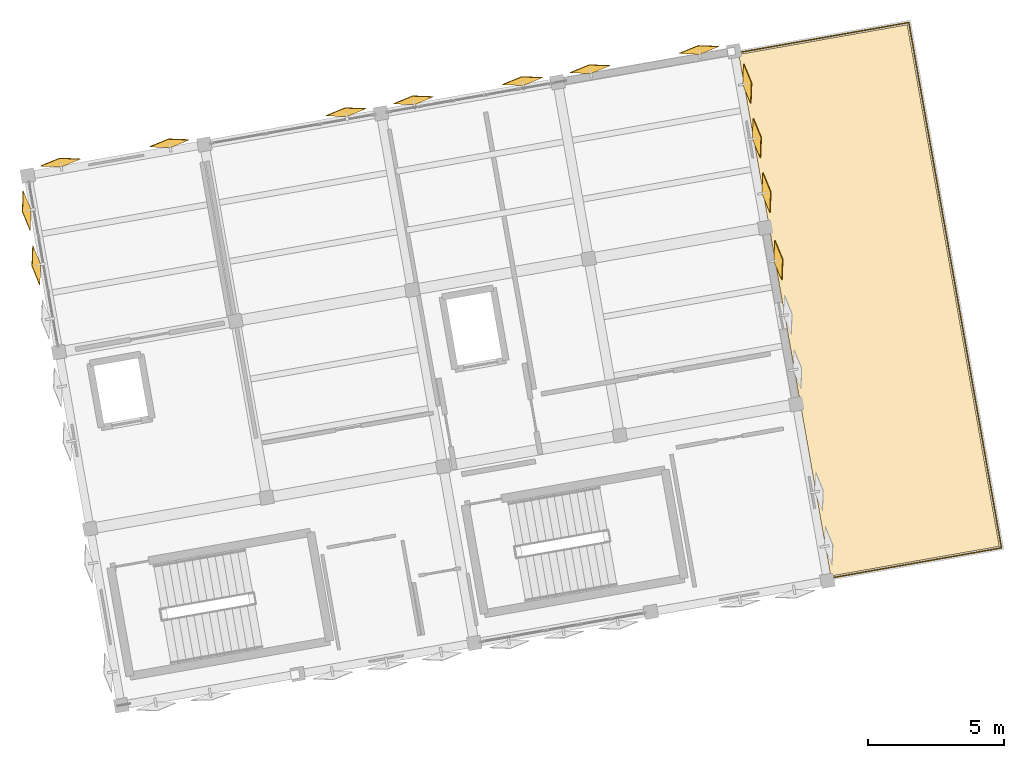
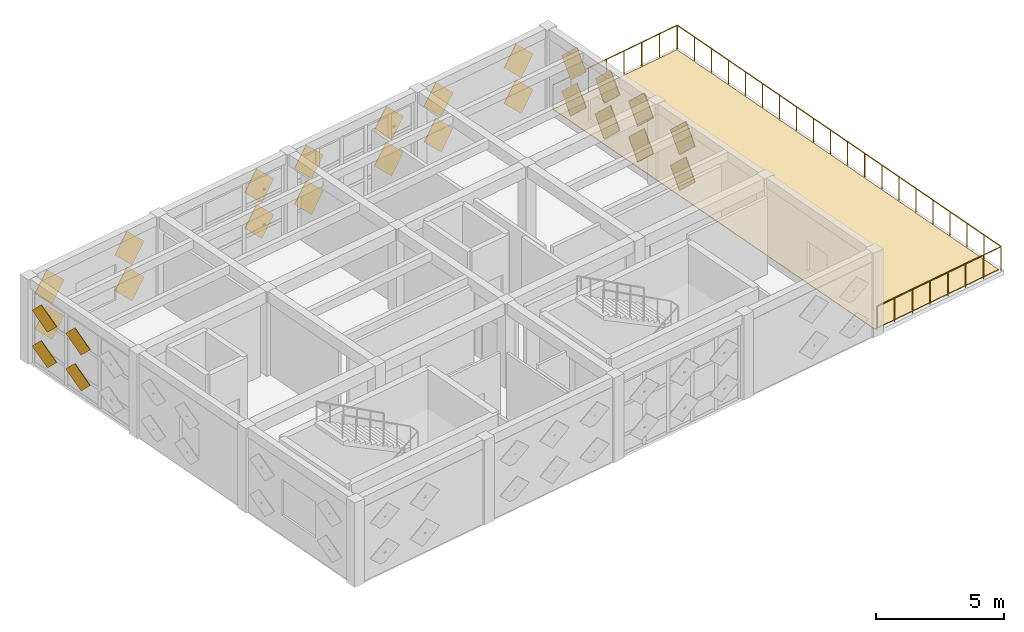
# One storey, part 13 of 13: 27 coverings, 1 railing.
"""IFC4 building model written with IfcOpenShell, lengths in metres."""

import ifcopenshell
import ifcopenshell.guid

model = None  # the IFC model being written
_history = None  # IfcOwnerHistory: only IFC2X3 demands one
_inside = {}  # id of a spatial element -> (the spatial element, [elements in it])
_under = {}  # id of a project, library or spatial element -> (it, [spatial elements below it])
_declared = {}  # id of a project -> (the project, [libraries it declares])
_typed = {}  # id of a type object -> (the type object, [elements of that type])
_made_of = {}  # id of a material, layer set ... -> (it, [elements and type objects made of it])


def new_model(schema):
    """Start an empty IFC model of exactly this schema.

    Asked for "IFC4X3", IfcOpenShell would pick the latest addendum, in which some entities
    have other attributes; the version numbers below select the first issue.
    IFC2X3 requires an IfcOwnerHistory on every rooted entity: one is made here for all.
    """
    global model, _history
    if schema == "IFC4X3":
        model = ifcopenshell.file(schema_version=(4, 3, 0, 0))
    else:
        model = ifcopenshell.file(schema=schema)
    _inside.clear()
    _under.clear()
    _declared.clear()
    _typed.clear()
    _made_of.clear()
    _history = None
    if model.schema == "IFC2X3":
        org = make("IfcOrganization", Name="unknown")
        user = make(
            "IfcPersonAndOrganization",
            ThePerson=make("IfcPerson", FamilyName="unknown"),
            TheOrganization=org,
        )
        app = make(
            "IfcApplication",
            ApplicationDeveloper=org,
            Version="unknown",
            ApplicationFullName="unknown",
            ApplicationIdentifier="unknown",
        )
        _history = make(
            "IfcOwnerHistory",
            OwningUser=user,
            OwningApplication=app,
            ChangeAction="ADDED",
            CreationDate=0,
        )
    return model


def make(cls, **values):
    """One entity of the class cls with the attributes given. An attribute that is None is left unset."""
    return model.create_entity(
        cls, **{name: value for name, value in values.items() if value is not None}
    )


def rooted(cls, **values):
    """An entity with a GlobalId (a new one), such as an element, a storey or a relation."""
    return make(cls, GlobalId=ifcopenshell.guid.new(), OwnerHistory=_history, **values)


def si_unit(unit_type, name, prefix=None):
    """IfcSIUnit, for example si_unit("LENGTHUNIT", "METRE", prefix="MILLI")."""
    return make("IfcSIUnit", UnitType=unit_type, Prefix=prefix, Name=name)


def assignment(units):
    """IfcUnitAssignment: the units of a project."""
    return None if units is None else make("IfcUnitAssignment", Units=units)


def point(xyz):
    """IfcCartesianPoint."""
    return None if xyz is None else make("IfcCartesianPoint", Coordinates=xyz)


def direction(xyz):
    """IfcDirection."""
    return None if xyz is None else make("IfcDirection", DirectionRatios=xyz)


def frame(location, z_axis=None, x_axis=None):
    """IfcAxis2Placement3D, a coordinate frame: its origin and axes. An axis left out is left unset."""
    return make(
        "IfcAxis2Placement3D",
        Location=point(location),
        Axis=direction(z_axis),
        RefDirection=direction(x_axis),
    )


def frame_2d(location, x_axis=None):
    """IfcAxis2Placement2D, a coordinate frame in the plane: its origin and x axis."""
    return make(
        "IfcAxis2Placement2D", Location=point(location), RefDirection=direction(x_axis)
    )


def origin():
    """The frame at (0, 0, 0) with its axes left unset."""
    return frame((0.0, 0.0, 0.0))


def origin_2d():
    """The frame at (0, 0) in the plane with its x axis left unset."""
    return frame_2d((0.0, 0.0))


def place(relative_to, where):
    """IfcLocalPlacement: puts the frame where relative to a parent placement (None: the world)."""
    return make(
        "IfcLocalPlacement", PlacementRelTo=relative_to, RelativePlacement=where
    )


def context(
    kind, dimensions, precision=None, world=None, true_north=None, identifier=None
):
    """IfcGeometricRepresentationContext, for example the 3D "Model" context."""
    return make(
        "IfcGeometricRepresentationContext",
        ContextIdentifier=identifier,
        ContextType=kind,
        CoordinateSpaceDimension=dimensions,
        Precision=precision,
        WorldCoordinateSystem=world,
        TrueNorth=true_north,
    )


def subcontext(parent, identifier, kind, view, scale=None):
    """IfcGeometricRepresentationSubContext, for example "Body" below "Model"."""
    return make(
        "IfcGeometricRepresentationSubContext",
        ContextIdentifier=identifier,
        ContextType=kind,
        ParentContext=parent,
        TargetScale=scale,
        TargetView=view,
    )


def project(units=None, contexts=None):
    """IfcProject with its units and contexts."""
    return rooted(
        "IfcProject",
        Name="project",
        RepresentationContexts=contexts,
        UnitsInContext=assignment(units),
    )


def spatial(cls, under=None, at=None, **own):
    """A site, building, storey or space (cls), placed at a placement, below another one or the project."""
    s = rooted(cls, ObjectPlacement=at, **own)
    if under is not None:
        _under.setdefault(under.id(), (under, []))[1].append(s)
    return s


def polyline(points):
    """IfcPolyline through the points."""
    return make("IfcPolyline", Points=[point(p) for p in points])


def profile(cls, at=None, kind="AREA", **sizes):
    """A parametric profile (cls). Its sizes go by their IFC names, for example OverallWidth=200.0."""
    return make(cls, ProfileType=kind, Position=at, **sizes)


def circle(**sizes):
    """IfcCircleProfileDef."""
    return profile("IfcCircleProfileDef", **sizes)


def outline(outer, holes=None, kind="AREA"):
    """IfcArbitraryClosedProfileDef: a profile drawn as a closed curve; with holes, ...WithVoids."""
    if holes is None:
        return make("IfcArbitraryClosedProfileDef", ProfileType=kind, OuterCurve=outer)
    return make(
        "IfcArbitraryProfileDefWithVoids",
        ProfileType=kind,
        OuterCurve=outer,
        InnerCurves=holes,
    )


def extrude(swept, where, along, depth):
    """IfcExtrudedAreaSolid: the profile swept, set in the frame where, extruded along a direction by depth."""
    return make(
        "IfcExtrudedAreaSolid",
        SweptArea=swept,
        Position=where,
        ExtrudedDirection=direction(along),
        Depth=depth,
    )


def shape(context_of_items, identifier, shape_type, items):
    """IfcShapeRepresentation: the items that make up one representation, for example the "Body"."""
    return make(
        "IfcShapeRepresentation",
        ContextOfItems=context_of_items,
        RepresentationIdentifier=identifier,
        RepresentationType=shape_type,
        Items=items,
    )


def material(Name=None, Category=None):
    """IfcMaterial."""
    return make("IfcMaterial", Name=Name, Category=Category)


def layer(
    of_material, thickness, ventilated=None, Name=None, Category=None, Priority=None
):
    """IfcMaterialLayer: one layer of a wall or slab, of a material (None: an air gap)."""
    return make(
        "IfcMaterialLayer",
        Material=of_material,
        LayerThickness=thickness,
        IsVentilated=ventilated,
        Name=Name,
        Category=Category,
        Priority=Priority,
    )


def layer_set(layers, Name=None):
    """IfcMaterialLayerSet."""
    return make("IfcMaterialLayerSet", MaterialLayers=layers, LayerSetName=Name)


def made_of(thing, what):
    """Note that an element or type object is made of a material, layer set ...; save() writes the relation."""
    if what is not None:
        _made_of.setdefault(what.id(), (what, []))[1].append(thing)
    return thing


def type_object(cls, material=None, **own):
    """A type object (cls), such as IfcWallType, which elements share."""
    return made_of(rooted(cls, **own), material)


def element(
    cls,
    number,
    at=None,
    inside=None,
    cuts=None,
    type_object=None,
    material=None,
    context=None,
    identifier="Body",
    shape_type=None,
    held_by="IfcProductDefinitionShape",
    body=None,
    shapes=None,
    **own,
):
    """One element of the class cls, such as IfcWall. Its Tag is "e" and its number.

    at: its placement. inside: the storey or other place that contains it. cuts: it is an
    opening in that element (IfcRelVoidsElement). A single representation is given by context,
    identifier, shape_type and body (its items); several are given by shapes. held_by: the class
    of the entity that holds the representations. save() writes the other relations.
    """
    e = rooted(cls, Tag="e%d" % number, ObjectPlacement=at, **own)
    if body is not None:
        shapes = [shape(context, identifier, shape_type, body)]
    if shapes is not None:
        e.Representation = make(held_by, Representations=shapes)
    if inside is not None:
        _inside.setdefault(inside.id(), (inside, []))[1].append(e)
    if cuts is not None:
        rooted(
            "IfcRelVoidsElement", RelatingBuildingElement=cuts, RelatedOpeningElement=e
        )
    if type_object is not None:
        _typed.setdefault(type_object.id(), (type_object, []))[1].append(e)
    return made_of(e, material)


def aggregate(whole, parts):
    """IfcRelAggregates: a whole, such as a stair, and the parts it consists of."""
    return rooted("IfcRelAggregates", RelatingObject=whole, RelatedObjects=parts)


def save(model, path):
    """Write the relations noted so far, then the file.

    IfcRelAggregates (storeys below a building ...), IfcRelContainedInSpatialStructure (elements
    in a storey), IfcRelDefinesByType, IfcRelAssociatesMaterial and IfcRelDeclares: one each for
    every whole, place, type object, material and project.
    """
    for whole, parts in _under.values():
        aggregate(whole, parts)
    for where, things in _inside.values():
        rooted(
            "IfcRelContainedInSpatialStructure",
            RelatedElements=things,
            RelatingStructure=where,
        )
    for kind, things in _typed.values():
        rooted("IfcRelDefinesByType", RelatedObjects=things, RelatingType=kind)
    for what, things in _made_of.values():
        rooted("IfcRelAssociatesMaterial", RelatedObjects=things, RelatingMaterial=what)
    for by, libraries in _declared.values():
        rooted("IfcRelDeclares", RelatingContext=by, RelatedDefinitions=libraries)
    model.write(path)


model = new_model("IFC4")

# Units and contexts
model_context = context("Model", 3, precision=1e-05, world=origin(), true_north=direction((0.0, 1.0)))
body_context = subcontext(model_context, "Body", "Model", "MODEL_VIEW")
ifc_project = project(units=[si_unit("LENGTHUNIT", "METRE"), si_unit("AREAUNIT", "SQUARE_METRE"), si_unit("VOLUMEUNIT", "CUBIC_METRE"), si_unit("PLANEANGLEUNIT", "RADIAN"), si_unit("MASSUNIT", "GRAM", prefix="KILO")], contexts=[model_context])

# Site, building, storey
site_placement = place(None, origin())
site = spatial("IfcSite", under=ifc_project, at=site_placement, CompositionType="ELEMENT")
building_placement = place(site_placement, origin())
building = spatial("IfcBuilding", under=site, at=building_placement, Name="Kharisveld Research Institute", CompositionType="ELEMENT")
storey_placement = place(building_placement, frame((0.0, 0.0, 45.0)))
storey = spatial("IfcBuildingStorey", under=building, at=storey_placement, Name="L10", CompositionType="ELEMENT", Elevation=45.0)

# Covering
ifc_material_1 = material(Name="High-Albedo TPO Roof Membrane", Category="mineral")
ifc_layer = layer(ifc_material_1, 0.034912109375)
ifc_layer_set = layer_set([ifc_layer], Name="CV_ROOF_EPDM")
covering_type_1 = type_object("IfcCoveringType", Name="CV_ROOF_EPDM", PredefinedType="ROOFING", material=ifc_layer_set)
covering_placement = place(storey_placement, origin())
element("IfcCovering", 1, at=covering_placement, inside=storey, type_object=covering_type_1, Name="COV:V1:L10:TERMEM", PredefinedType="ROOFING", context=body_context, shape_type="SweptSolid", body=[
    extrude(outline(polyline([(31.320556640625, 39.76806640625), (37.52490234375, 40.862060546875), (34.138671875, 60.06591796875), (27.9345703125, 58.971923828125), (31.320556640625, 39.76806640625)])), origin(), (0.0, 0.0, 1.0), 0.034912109375),
])

# Railing
ifc_material_2 = material(Name="Steel S355JR", Category="steel")
railing_type = type_object("IfcRailingType", Name="RL_GRD_TER", PredefinedType="GUARDRAIL", material=ifc_material_2)
railing_placement = place(storey_placement, frame((31.382080078125, 39.707763671875, 0.0)))
element("IfcRailing", 2, at=railing_placement, inside=storey, type_object=railing_type, Name="RLG:V1:L10:TERRACE", PredefinedType="GUARDRAIL", context=body_context, shape_type="SweptSolid", body=[
    extrude(circle(Radius=0.02392578125, at=origin_2d()), frame((0.0, 0.0, 1.1259765625), z_axis=(0.984808438196, 0.173644291754, 0.0), x_axis=(-0.173644291754, 0.984808438196, 0.0)), (0.0, 0.0, 1.0), 6.31982421875),
    extrude(circle(Radius=0.02392578125, at=origin_2d()), frame((6.223876953125, 1.097412109375, 1.1259765625), z_axis=(-0.17364421467, 0.984808451787, 0.0), x_axis=(-0.984808451787, -0.17364421467, 0.0)), (0.0, 0.0, 1.0), 19.64013671875),
    extrude(circle(Radius=0.02392578125, at=origin_2d()), frame((2.8134765625, 20.439208984375, 1.1259765625), z_axis=(-0.98480960293, -0.173637685933, 0.0), x_axis=(0.173637685933, -0.98480960293, 0.0)), (0.0, 0.0, 1.0), 6.320068359375),
    extrude(circle(Radius=0.02099609375, at=origin_2d()), origin(), (0.0, 0.0, 1.0), 1.101806640625),
    extrude(circle(Radius=0.02099609375, at=origin_2d()), frame((0.88916015625, 0.15673828125, 0.0)), (0.0, 0.0, 1.0), 1.101806640625),
    extrude(circle(Radius=0.02099609375, at=origin_2d()), frame((1.7783203125, 0.3134765625, 0.0)), (0.0, 0.0, 1.0), 1.101806640625),
    extrude(circle(Radius=0.02099609375, at=origin_2d()), frame((2.66748046875, 0.47021484375, 0.0)), (0.0, 0.0, 1.0), 1.101806640625),
    extrude(circle(Radius=0.02099609375, at=origin_2d()), frame((3.556396484375, 0.627197265625, 0.0)), (0.0, 0.0, 1.0), 1.101806640625),
    extrude(circle(Radius=0.02099609375, at=origin_2d()), frame((4.445556640625, 0.783935546875, 0.0)), (0.0, 0.0, 1.0), 1.101806640625),
    extrude(circle(Radius=0.02099609375, at=origin_2d()), frame((5.334716796875, 0.940673828125, 0.0)), (0.0, 0.0, 1.0), 1.101806640625),
    extrude(circle(Radius=0.02099609375, at=origin_2d()), frame((6.223876953125, 1.097412109375, 0.0)), (0.0, 0.0, 1.0), 1.101806640625),
    extrude(circle(Radius=0.02099609375, at=origin_2d()), frame((6.04443359375, 2.115478515625, 0.0)), (0.0, 0.0, 1.0), 1.101806640625),
    extrude(circle(Radius=0.02099609375, at=origin_2d()), frame((5.864990234375, 3.13330078125, 0.0)), (0.0, 0.0, 1.0), 1.101806640625),
    extrude(circle(Radius=0.02099609375, at=origin_2d()), frame((5.685302734375, 4.1513671875, 0.0)), (0.0, 0.0, 1.0), 1.101806640625),
    extrude(circle(Radius=0.02099609375, at=origin_2d()), frame((5.505859375, 5.16943359375, 0.0)), (0.0, 0.0, 1.0), 1.101806640625),
    extrude(circle(Radius=0.02099609375, at=origin_2d()), frame((5.326416015625, 6.187255859375, 0.0)), (0.0, 0.0, 1.0), 1.101806640625),
    extrude(circle(Radius=0.02099609375, at=origin_2d()), frame((5.14697265625, 7.205322265625, 0.0)), (0.0, 0.0, 1.0), 1.101806640625),
    extrude(circle(Radius=0.02099609375, at=origin_2d()), frame((4.967529296875, 8.223388671875, 0.0)), (0.0, 0.0, 1.0), 1.101806640625),
    extrude(circle(Radius=0.02099609375, at=origin_2d()), frame((4.787841796875, 9.2412109375, 0.0)), (0.0, 0.0, 1.0), 1.101806640625),
    extrude(circle(Radius=0.02099609375, at=origin_2d()), frame((4.6083984375, 10.25927734375, 0.0)), (0.0, 0.0, 1.0), 1.101806640625),
    extrude(circle(Radius=0.02099609375, at=origin_2d()), frame((4.428955078125, 11.27734375, 0.0)), (0.0, 0.0, 1.0), 1.101806640625),
    extrude(circle(Radius=0.02099609375, at=origin_2d()), frame((4.24951171875, 12.29541015625, 0.0)), (0.0, 0.0, 1.0), 1.101806640625),
    extrude(circle(Radius=0.02099609375, at=origin_2d()), frame((4.06982421875, 13.313232421875, 0.0)), (0.0, 0.0, 1.0), 1.101806640625),
    extrude(circle(Radius=0.02099609375, at=origin_2d()), frame((3.890380859375, 14.331298828125, 0.0)), (0.0, 0.0, 1.0), 1.101806640625),
    extrude(circle(Radius=0.02099609375, at=origin_2d()), frame((3.7109375, 15.349365234375, 0.0)), (0.0, 0.0, 1.0), 1.101806640625),
    extrude(circle(Radius=0.02099609375, at=origin_2d()), frame((3.531494140625, 16.3671875, 0.0)), (0.0, 0.0, 1.0), 1.101806640625),
    extrude(circle(Radius=0.02099609375, at=origin_2d()), frame((3.35205078125, 17.38525390625, 0.0)), (0.0, 0.0, 1.0), 1.101806640625),
    extrude(circle(Radius=0.02099609375, at=origin_2d()), frame((3.17236328125, 18.4033203125, 0.0)), (0.0, 0.0, 1.0), 1.101806640625),
    extrude(circle(Radius=0.02099609375, at=origin_2d()), frame((2.992919921875, 19.421142578125, 0.0)), (0.0, 0.0, 1.0), 1.101806640625),
    extrude(circle(Radius=0.02099609375, at=origin_2d()), frame((2.8134765625, 20.439208984375, 0.0)), (0.0, 0.0, 1.0), 1.101806640625),
    extrude(circle(Radius=0.02099609375, at=origin_2d()), frame((1.92431640625, 20.282470703125, 0.0)), (0.0, 0.0, 1.0), 1.101806640625),
    extrude(circle(Radius=0.02099609375, at=origin_2d()), frame((1.03515625, 20.125732421875, 0.0)), (0.0, 0.0, 1.0), 1.101806640625),
    extrude(circle(Radius=0.02099609375, at=origin_2d()), frame((0.14599609375, 19.968994140625, 0.0)), (0.0, 0.0, 1.0), 1.101806640625),
    extrude(circle(Radius=0.02099609375, at=origin_2d()), frame((-0.7431640625, 19.81201171875, 0.0)), (0.0, 0.0, 1.0), 1.101806640625),
    extrude(circle(Radius=0.02099609375, at=origin_2d()), frame((-1.63232421875, 19.6552734375, 0.0)), (0.0, 0.0, 1.0), 1.101806640625),
    extrude(circle(Radius=0.02099609375, at=origin_2d()), frame((-2.521484375, 19.49853515625, 0.0)), (0.0, 0.0, 1.0), 1.101806640625),
    extrude(circle(Radius=0.02099609375, at=origin_2d()), frame((-3.41064453125, 19.341796875, 0.0)), (0.0, 0.0, 1.0), 1.101806640625),
])

# Coverings
ifc_material_3 = material(Name="White Powder-Coated Perforated Aluminium", Category="aluminium")
covering_type_2 = type_object("IfcCoveringType", Name="CV_DIA_105", PredefinedType="CLADDING")
for number, where, z_axis, x_axis, name in (
    (3, (2.237060546875, 51.2421875, 0.3251953125), (0.961420032054, 0.169652917176, 0.216539626071), (-0.273667258538, 0.669685861016, 0.690381835769), "SHD:V1:L10:W2:S1C0"),
    (4, (2.237060546875, 51.2421875, 2.025146484375), (0.961420032054, 0.169652917176, 0.216539626071), (-0.273667258538, 0.669685861016, 0.690381835769), "SHD:V1:L10:W2:S1C1"),
):
    element("IfcCovering", number, at=place(storey_placement, frame(where, z_axis=z_axis, x_axis=x_axis)), inside=storey, type_object=covering_type_2, material=ifc_material_3, Name=name, PredefinedType="CLADDING", context=body_context, shape_type="SweptSolid", body=[
        extrude(outline(polyline([(0.0, 0.0), (1.0499378206599106, 0.0), (1.0500673127316735, 1.0499534809922781), (-3.40054528989997e-05, 1.0501299963078314), (0.0, 0.0)])), origin(), (0.0, 0.0, -1.0), 0.02392578125),
    ])
for number, where, z_axis, x_axis, name in (
    (5, (1.88330078125, 53.247802734375, 0.3251953125), (0.961481187298, 0.169503194288, 0.216385289699), (-0.273447448775, 0.669849989418, 0.690309701826), "SHD:V1:L10:W2:S2C0"),
    (6, (1.88330078125, 53.247802734375, 2.025146484375), (0.961481187298, 0.169503194288, 0.216385289699), (-0.273447448775, 0.669849989418, 0.690309701826), "SHD:V1:L10:W2:S2C1"),
):
    element("IfcCovering", number, at=place(storey_placement, frame(where, z_axis=z_axis, x_axis=x_axis)), inside=storey, type_object=covering_type_2, material=ifc_material_3, Name=name, PredefinedType="CLADDING", context=body_context, shape_type="SweptSolid", body=[
        extrude(outline(polyline([(0.0, 0.0), (1.0500345517563856, -1.1102230246251565e-16), (1.0498172010450848, 1.0501299743656882), (-5.381311622809637e-05, 1.0499534875988095), (0.0, 0.0)])), origin(), (0.0, 0.0, -1.0), 0.02392578125),
    ])
for number, where, z_axis, x_axis, name in (
    (7, (2.98876953125, 54.826416015625, 0.3251953125), (0.169503194288, -0.961481187298, 0.216385289699), (0.669728459805, 0.273452141042, 0.690425750307), "SHD:V1:L10:N0:S0C0"),
    (8, (2.98876953125, 54.826416015625, 2.025146484375), (0.169503194288, -0.961481187298, 0.216385289699), (0.669728459805, 0.273452141042, 0.690425750307), "SHD:V1:L10:N0:S0C1"),
):
    element("IfcCovering", number, at=place(storey_placement, frame(where, z_axis=z_axis, x_axis=x_axis)), inside=storey, type_object=covering_type_2, material=ifc_material_3, Name=name, PredefinedType="CLADDING", context=body_context, shape_type="SweptSolid", body=[
        extrude(outline(polyline([(0.0, 0.0), (1.0498710289953155, -1.1102230246251565e-16), (1.0499937165082887, 1.0499534818098035), (-4.082041178410378e-05, 1.0501299960653954), (0.0, 0.0)])), origin(), (0.0, 0.0, -1.0), 0.02392578125),
    ])
for number, where, z_axis, x_axis, name in (
    (9, (7.0, 55.53369140625, 0.3251953125), (0.169504241221, -0.961487125864, 0.216358080518), (0.669853329409, 0.27342850239, 0.690313965642), "SHD:V1:L10:N0:S2C0"),
    (10, (7.0, 55.53369140625, 2.025146484375), (0.169504241221, -0.961487125864, 0.216358080518), (0.669853329409, 0.27342850239, 0.690313965642), "SHD:V1:L10:N0:S2C1"),
):
    element("IfcCovering", number, at=place(storey_placement, frame(where, z_axis=z_axis, x_axis=x_axis)), inside=storey, type_object=covering_type_2, material=ifc_material_3, Name=name, PredefinedType="CLADDING", context=body_context, shape_type="SweptSolid", body=[
        extrude(outline(polyline([(0.0, 0.0), (1.0500345519602505, 0.0), (1.0499807392517624, 1.0499534878027108), (-5.381270848814346e-05, 1.049953487802711), (0.0, 0.0)])), origin(), (0.0, 0.0, -1.0), 0.02392578125),
    ])
for number, where, z_axis, x_axis, name in (
    (11, (13.499755859375, 56.6796875, 0.3251953125), (0.169653966706, -0.961425979727, 0.216512394765), (0.669810730042, 0.27364360613, 0.69027006508), "SHD:V1:L10:N1:S2C0"),
    (12, (13.499755859375, 56.6796875, 2.025146484375), (0.169653966706, -0.961425979727, 0.216512394765), (0.669810730042, 0.27364360613, 0.69027006508), "SHD:V1:L10:N1:S2C1"),
):
    element("IfcCovering", number, at=place(storey_placement, frame(where, z_axis=z_axis, x_axis=x_axis)), inside=storey, type_object=covering_type_2, material=ifc_material_3, Name=name, PredefinedType="CLADDING", context=body_context, shape_type="SweptSolid", body=[
        extrude(outline(polyline([(0.0, 0.0), (1.0501013332243323, 1.1102230246251565e-16), (1.050054335240126, 1.049953488129867), (-4.699798420648715e-05, 1.049953488129867), (0.0, 0.0)])), origin(), (0.0, 0.0, -1.0), 0.02392578125),
    ])
for number, where, z_axis, x_axis, name in (
    (13, (15.988037109375, 57.118408203125, 0.3251953125), (0.169498301082, -0.961453431325, 0.216512413788), (0.669829678259, 0.273536150679, 0.690294267972), "SHD:V1:L10:N2:S0C0"),
    (14, (15.988037109375, 57.118408203125, 2.025146484375), (0.169498301082, -0.961453431325, 0.216512413788), (0.669829678259, 0.273536150679, 0.690294267972), "SHD:V1:L10:N2:S0C1"),
):
    element("IfcCovering", number, at=place(storey_placement, frame(where, z_axis=z_axis, x_axis=x_axis)), inside=storey, type_object=covering_type_2, material=ifc_material_3, Name=name, PredefinedType="CLADDING", context=body_context, shape_type="SweptSolid", body=[
        extrude(outline(polyline([(0.0, 0.0), (1.050101326665668, -1.1102230246251565e-16), (1.050054341798497, 1.049953481570866), (1.9796419616024963e-05, 1.0499603230588543), (0.0, 0.0)])), origin(), (0.0, 0.0, -1.0), 0.02392578125),
    ])
for number, where, z_axis, x_axis, name in (
    (15, (19.99951171875, 57.825927734375, 0.3251953125), (0.169504241221, -0.961487125864, 0.216358080518), (0.669853329409, 0.27342850239, 0.690313965642), "SHD:V1:L10:N2:S2C0"),
    (16, (19.99951171875, 57.825927734375, 2.025146484375), (0.169504241221, -0.961487125864, 0.216358080518), (0.669853329409, 0.27342850239, 0.690313965642), "SHD:V1:L10:N2:S2C1"),
    (17, (22.48779296875, 58.2646484375, 0.3251953125), (0.169504241221, -0.961487125864, 0.216358080518), (0.669853329409, 0.27342850239, 0.690313965642), "SHD:V1:L10:N3:S0C0"),
    (18, (22.48779296875, 58.2646484375, 2.025146484375), (0.169504241221, -0.961487125864, 0.216358080518), (0.669853329409, 0.27342850239, 0.690313965642), "SHD:V1:L10:N3:S0C1"),
    (19, (26.499267578125, 58.971923828125, 0.3251953125), (0.169504241221, -0.961487125864, 0.216358080518), (0.669853329409, 0.27342850239, 0.690313965642), "SHD:V1:L10:N3:S2C0"),
    (20, (26.499267578125, 58.971923828125, 2.025146484375), (0.169504241221, -0.961487125864, 0.216358080518), (0.669853329409, 0.27342850239, 0.690313965642), "SHD:V1:L10:N3:S2C1"),
    (21, (28.077880859375, 57.86669921875, 0.3251953125), (-0.961487125864, -0.169504241221, 0.216358080518), (0.27342850239, -0.669853329409, 0.690313965642), "SHD:V1:L10:E3:S0C0"),
    (22, (28.077880859375, 57.86669921875, 2.025146484375), (-0.961487125864, -0.169504241221, 0.216358080518), (0.27342850239, -0.669853329409, 0.690313965642), "SHD:V1:L10:E3:S0C1"),
):
    element("IfcCovering", number, at=place(storey_placement, frame(where, z_axis=z_axis, x_axis=x_axis)), inside=storey, type_object=covering_type_2, material=ifc_material_3, Name=name, PredefinedType="CLADDING", context=body_context, shape_type="SweptSolid", body=[
        extrude(outline(polyline([(0.0, 0.0), (1.0500345519602505, 0.0), (1.0499807392517624, 1.0499534878027108), (-5.381270848814346e-05, 1.049953487802711), (0.0, 0.0)])), origin(), (0.0, 0.0, -1.0), 0.02392578125),
    ])
for number, where, z_axis, x_axis, name in (
    (23, (28.431640625, 55.86083984375, 0.3251953125), (-0.961476347302, -0.169530643305, 0.21638529192), (0.273471090272, -0.669725119033, 0.690421485559), "SHD:V1:L10:E3:S1C0"),
    (24, (28.431640625, 55.86083984375, 2.025146484375), (-0.961476347302, -0.169530643305, 0.21638529192), (0.273471090272, -0.669725119033, 0.690421485559), "SHD:V1:L10:E3:S1C1"),
):
    element("IfcCovering", number, at=place(storey_placement, frame(where, z_axis=z_axis, x_axis=x_axis)), inside=storey, type_object=covering_type_2, material=ifc_material_3, Name=name, PredefinedType="CLADDING", context=body_context, shape_type="SweptSolid", body=[
        extrude(outline(polyline([(0.0, 0.0), (1.0498710291992122, 0.0), (1.0499937163043682, 1.0499534820137317), (0.00012268710515594972, 1.049953482013732), (0.0, 0.0)])), origin(), (0.0, 0.0, -1.0), 0.02392578125),
    ])
for number, where, z_axis, x_axis, name in (
    (25, (28.78515625, 53.855224609375, 0.3251953125), (-0.961453431325, -0.169498301082, 0.216512413788), (0.273535968092, -0.669834388355, 0.690289769834), "SHD:V1:L10:E3:S2C0"),
    (26, (28.78515625, 53.855224609375, 2.025146484375), (-0.961453431325, -0.169498301082, 0.216512413788), (0.273535968092, -0.669834388355, 0.690289769834), "SHD:V1:L10:E3:S2C1"),
):
    element("IfcCovering", number, at=place(storey_placement, frame(where, z_axis=z_axis, x_axis=x_axis)), inside=storey, type_object=covering_type_2, material=ifc_material_3, Name=name, PredefinedType="CLADDING", context=body_context, shape_type="SweptSolid", body=[
        extrude(outline(polyline([(0.0, 0.0), (1.0500345454011688, 0.0), (1.0500475008163912, 1.049960323165551), (-5.3825826987430325e-05, 1.0499534812424507), (0.0, 0.0)])), origin(), (0.0, 0.0, -1.0), 0.02392578125),
    ])
for number, where, z_axis, x_axis, name in (
    (27, (29.223876953125, 51.366943359375, 0.3251953125), (-0.961425979727, -0.169653966706, 0.216512394765), (0.27364360613, -0.669810730042, 0.69027006508), "SHD:V1:L10:E2:S0C0"),
    (28, (29.223876953125, 51.366943359375, 2.025146484375), (-0.961425979727, -0.169653966706, 0.216512394765), (0.27364360613, -0.669810730042, 0.69027006508), "SHD:V1:L10:E2:S0C1"),
):
    element("IfcCovering", number, at=place(storey_placement, frame(where, z_axis=z_axis, x_axis=x_axis)), inside=storey, type_object=covering_type_2, material=ifc_material_3, Name=name, PredefinedType="CLADDING", context=body_context, shape_type="SweptSolid", body=[
        extrude(outline(polyline([(0.0, 0.0), (1.0501013332243323, 1.1102230246251565e-16), (1.050054335240126, 1.049953488129867), (-4.699798420648715e-05, 1.049953488129867), (0.0, 0.0)])), origin(), (0.0, 0.0, -1.0), 0.02392578125),
    ])

save(model, "model.ifc")
